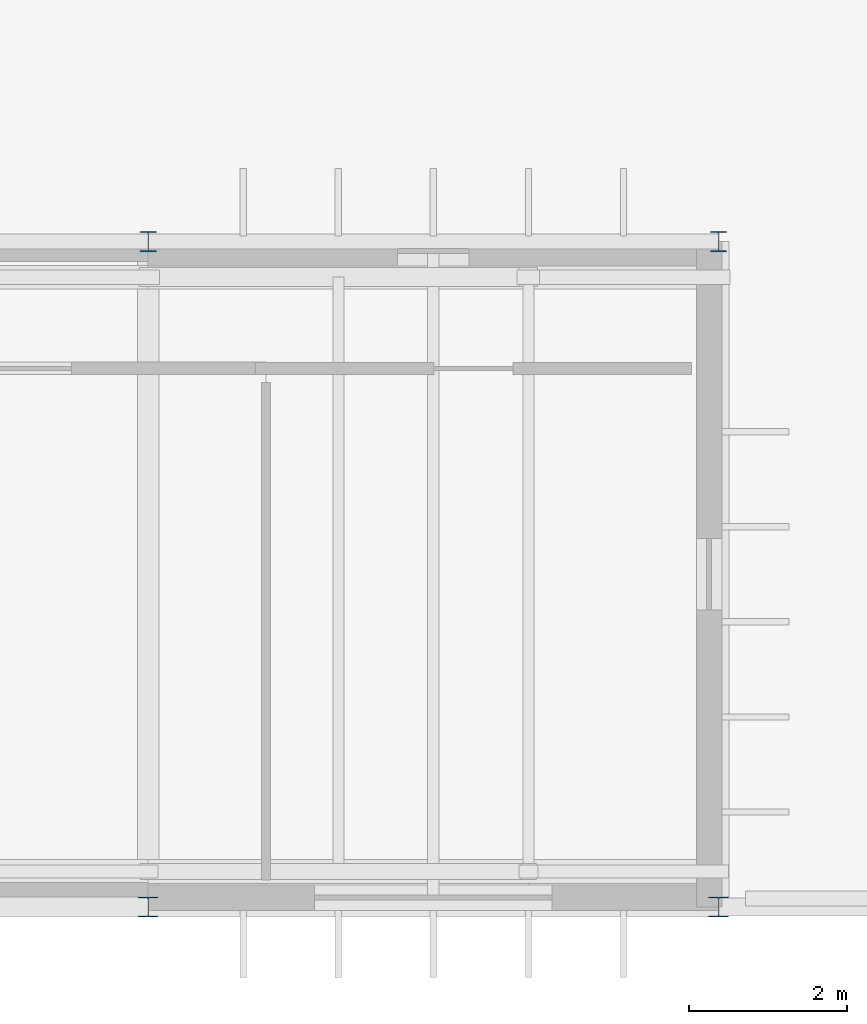
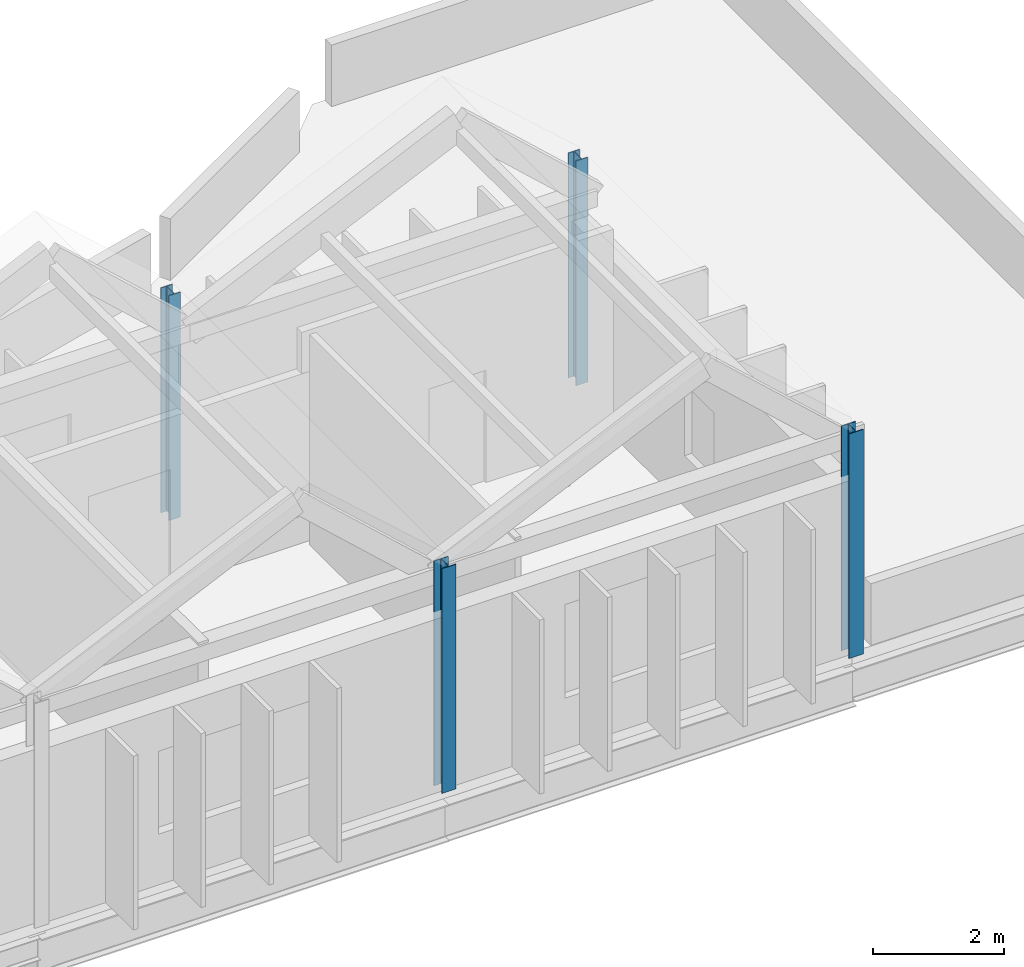
# One storey, part 12 of 52: 4 columns.
"""IFC4 building model written with IfcOpenShell, lengths in metres."""

import ifcopenshell
import ifcopenshell.guid

model = None  # the IFC model being written
_history = None  # IfcOwnerHistory: only IFC2X3 demands one
_inside = {}  # id of a spatial element -> (the spatial element, [elements in it])
_under = {}  # id of a project, library or spatial element -> (it, [spatial elements below it])
_declared = {}  # id of a project -> (the project, [libraries it declares])
_typed = {}  # id of a type object -> (the type object, [elements of that type])
_made_of = {}  # id of a material, layer set ... -> (it, [elements and type objects made of it])


def new_model(schema):
    """Start an empty IFC model of exactly this schema.

    Asked for "IFC4X3", IfcOpenShell would pick the latest addendum, in which some entities
    have other attributes; the version numbers below select the first issue.
    IFC2X3 requires an IfcOwnerHistory on every rooted entity: one is made here for all.
    """
    global model, _history
    if schema == "IFC4X3":
        model = ifcopenshell.file(schema_version=(4, 3, 0, 0))
    else:
        model = ifcopenshell.file(schema=schema)
    _inside.clear()
    _under.clear()
    _declared.clear()
    _typed.clear()
    _made_of.clear()
    _history = None
    if model.schema == "IFC2X3":
        org = make("IfcOrganization", Name="unknown")
        user = make(
            "IfcPersonAndOrganization",
            ThePerson=make("IfcPerson", FamilyName="unknown"),
            TheOrganization=org,
        )
        app = make(
            "IfcApplication",
            ApplicationDeveloper=org,
            Version="unknown",
            ApplicationFullName="unknown",
            ApplicationIdentifier="unknown",
        )
        _history = make(
            "IfcOwnerHistory",
            OwningUser=user,
            OwningApplication=app,
            ChangeAction="ADDED",
            CreationDate=0,
        )
    return model


def make(cls, **values):
    """One entity of the class cls with the attributes given. An attribute that is None is left unset."""
    return model.create_entity(
        cls, **{name: value for name, value in values.items() if value is not None}
    )


def rooted(cls, **values):
    """An entity with a GlobalId (a new one), such as an element, a storey or a relation."""
    return make(cls, GlobalId=ifcopenshell.guid.new(), OwnerHistory=_history, **values)


def si_unit(unit_type, name, prefix=None):
    """IfcSIUnit, for example si_unit("LENGTHUNIT", "METRE", prefix="MILLI")."""
    return make("IfcSIUnit", UnitType=unit_type, Prefix=prefix, Name=name)


def assignment(units):
    """IfcUnitAssignment: the units of a project."""
    return None if units is None else make("IfcUnitAssignment", Units=units)


def point(xyz):
    """IfcCartesianPoint."""
    return None if xyz is None else make("IfcCartesianPoint", Coordinates=xyz)


def direction(xyz):
    """IfcDirection."""
    return None if xyz is None else make("IfcDirection", DirectionRatios=xyz)


def frame(location, z_axis=None, x_axis=None):
    """IfcAxis2Placement3D, a coordinate frame: its origin and axes. An axis left out is left unset."""
    return make(
        "IfcAxis2Placement3D",
        Location=point(location),
        Axis=direction(z_axis),
        RefDirection=direction(x_axis),
    )


def frame_2d(location, x_axis=None):
    """IfcAxis2Placement2D, a coordinate frame in the plane: its origin and x axis."""
    return make(
        "IfcAxis2Placement2D", Location=point(location), RefDirection=direction(x_axis)
    )


def origin():
    """The frame at (0, 0, 0) with its axes left unset."""
    return frame((0.0, 0.0, 0.0))


def origin_2d():
    """The frame at (0, 0) in the plane with its x axis left unset."""
    return frame_2d((0.0, 0.0))


def place(relative_to, where):
    """IfcLocalPlacement: puts the frame where relative to a parent placement (None: the world)."""
    return make(
        "IfcLocalPlacement", PlacementRelTo=relative_to, RelativePlacement=where
    )


def context(
    kind, dimensions, precision=None, world=None, true_north=None, identifier=None
):
    """IfcGeometricRepresentationContext, for example the 3D "Model" context."""
    return make(
        "IfcGeometricRepresentationContext",
        ContextIdentifier=identifier,
        ContextType=kind,
        CoordinateSpaceDimension=dimensions,
        Precision=precision,
        WorldCoordinateSystem=world,
        TrueNorth=true_north,
    )


def subcontext(parent, identifier, kind, view, scale=None):
    """IfcGeometricRepresentationSubContext, for example "Body" below "Model"."""
    return make(
        "IfcGeometricRepresentationSubContext",
        ContextIdentifier=identifier,
        ContextType=kind,
        ParentContext=parent,
        TargetScale=scale,
        TargetView=view,
    )


def project(units=None, contexts=None):
    """IfcProject with its units and contexts."""
    return rooted(
        "IfcProject",
        Name="project",
        RepresentationContexts=contexts,
        UnitsInContext=assignment(units),
    )


def spatial(cls, under=None, at=None, **own):
    """A site, building, storey or space (cls), placed at a placement, below another one or the project."""
    s = rooted(cls, ObjectPlacement=at, **own)
    if under is not None:
        _under.setdefault(under.id(), (under, []))[1].append(s)
    return s


def profile(cls, at=None, kind="AREA", **sizes):
    """A parametric profile (cls). Its sizes go by their IFC names, for example OverallWidth=200.0."""
    return make(cls, ProfileType=kind, Position=at, **sizes)


def i_section(**sizes):
    """IfcIShapeProfileDef."""
    return profile("IfcIShapeProfileDef", **sizes)


def extrude(swept, where, along, depth):
    """IfcExtrudedAreaSolid: the profile swept, set in the frame where, extruded along a direction by depth."""
    return make(
        "IfcExtrudedAreaSolid",
        SweptArea=swept,
        Position=where,
        ExtrudedDirection=direction(along),
        Depth=depth,
    )


def shape(context_of_items, identifier, shape_type, items):
    """IfcShapeRepresentation: the items that make up one representation, for example the "Body"."""
    return make(
        "IfcShapeRepresentation",
        ContextOfItems=context_of_items,
        RepresentationIdentifier=identifier,
        RepresentationType=shape_type,
        Items=items,
    )


def material(Name=None, Category=None):
    """IfcMaterial."""
    return make("IfcMaterial", Name=Name, Category=Category)


def material_profile(
    of_material, cross_section, Name=None, Category=None, Priority=None
):
    """IfcMaterialProfile: a cross section and its material."""
    return make(
        "IfcMaterialProfile",
        Name=Name,
        Material=of_material,
        Profile=cross_section,
        Priority=Priority,
        Category=Category,
    )


def profile_set(profiles, Name=None, composite=None):
    """IfcMaterialProfileSet."""
    return make(
        "IfcMaterialProfileSet",
        Name=Name,
        MaterialProfiles=profiles,
        CompositeProfile=composite,
    )


def made_of(thing, what):
    """Note that an element or type object is made of a material, layer set ...; save() writes the relation."""
    if what is not None:
        _made_of.setdefault(what.id(), (what, []))[1].append(thing)
    return thing


def type_object(cls, material=None, **own):
    """A type object (cls), such as IfcWallType, which elements share."""
    return made_of(rooted(cls, **own), material)


def element(
    cls,
    number,
    at=None,
    inside=None,
    cuts=None,
    type_object=None,
    material=None,
    context=None,
    identifier="Body",
    shape_type=None,
    held_by="IfcProductDefinitionShape",
    body=None,
    shapes=None,
    **own,
):
    """One element of the class cls, such as IfcWall. Its Tag is "e" and its number.

    at: its placement. inside: the storey or other place that contains it. cuts: it is an
    opening in that element (IfcRelVoidsElement). A single representation is given by context,
    identifier, shape_type and body (its items); several are given by shapes. held_by: the class
    of the entity that holds the representations. save() writes the other relations.
    """
    e = rooted(cls, Tag="e%d" % number, ObjectPlacement=at, **own)
    if body is not None:
        shapes = [shape(context, identifier, shape_type, body)]
    if shapes is not None:
        e.Representation = make(held_by, Representations=shapes)
    if inside is not None:
        _inside.setdefault(inside.id(), (inside, []))[1].append(e)
    if cuts is not None:
        rooted(
            "IfcRelVoidsElement", RelatingBuildingElement=cuts, RelatedOpeningElement=e
        )
    if type_object is not None:
        _typed.setdefault(type_object.id(), (type_object, []))[1].append(e)
    return made_of(e, material)


def aggregate(whole, parts):
    """IfcRelAggregates: a whole, such as a stair, and the parts it consists of."""
    return rooted("IfcRelAggregates", RelatingObject=whole, RelatedObjects=parts)


def save(model, path):
    """Write the relations noted so far, then the file.

    IfcRelAggregates (storeys below a building ...), IfcRelContainedInSpatialStructure (elements
    in a storey), IfcRelDefinesByType, IfcRelAssociatesMaterial and IfcRelDeclares: one each for
    every whole, place, type object, material and project.
    """
    for whole, parts in _under.values():
        aggregate(whole, parts)
    for where, things in _inside.values():
        rooted(
            "IfcRelContainedInSpatialStructure",
            RelatedElements=things,
            RelatingStructure=where,
        )
    for kind, things in _typed.values():
        rooted("IfcRelDefinesByType", RelatedObjects=things, RelatingType=kind)
    for what, things in _made_of.values():
        rooted("IfcRelAssociatesMaterial", RelatedObjects=things, RelatingMaterial=what)
    for by, libraries in _declared.values():
        rooted("IfcRelDeclares", RelatingContext=by, RelatedDefinitions=libraries)
    model.write(path)


model = new_model("IFC4")

# Units and contexts
model_context = context("Model", 3, precision=1e-05, world=origin(), true_north=direction((0.0, 1.0)))
body_context = subcontext(model_context, "Body", "Model", "MODEL_VIEW")
ifc_project = project(units=[si_unit("LENGTHUNIT", "METRE"), si_unit("AREAUNIT", "SQUARE_METRE"), si_unit("VOLUMEUNIT", "CUBIC_METRE"), si_unit("PLANEANGLEUNIT", "RADIAN"), si_unit("MASSUNIT", "GRAM", prefix="KILO")], contexts=[model_context])

# Site, building, storey
site_placement = place(None, origin())
site = spatial("IfcSite", under=ifc_project, at=site_placement, CompositionType="ELEMENT")
building_placement = place(site_placement, origin())
building = spatial("IfcBuilding", under=site, at=building_placement, Name="Qelthora Terrace Specialist Clinic", CompositionType="ELEMENT")
storey_placement = place(building_placement, frame((0.0, 0.0, 17.39990234375)))
storey = spatial("IfcBuildingStorey", under=building, at=storey_placement, Name="L04", CompositionType="ELEMENT", Elevation=17.39990234375)

# Columns
ifc_material = material(Name="Steel S355", Category="steel")
ifc_material_profile_1 = material_profile(ifc_material, i_section(OverallWidth=0.2041015625, OverallDepth=0.257080078125, WebThickness=0.0087890625, FlangeThickness=0.015625, FilletRadius=0.012939453125, at=origin_2d()), Name="W250X67")
ifc_profile_set_1 = profile_set([ifc_material_profile_1], Name="Steel S355")
column_type_1 = type_object("IfcColumnType", Name="COL-W250X67", PredefinedType="COLUMN", material=ifc_profile_set_1)
for number, where, z_axis, x_axis, name in (
    (1, (129.60009765625, 42.0, 0.0), (0.0, 0.0, 1.0), (1.0, 0.0, 0.0), "Column L04-211"),
    (2, (136.800048828125, 42.0, 0.0), (0.0, 0.0, 1.0), (1.0, 0.0, 0.0), "Column L04-219"),
):
    element("IfcColumn", number, at=place(storey_placement, frame(where, z_axis=z_axis, x_axis=x_axis)), inside=storey, type_object=column_type_1, Name=name, PredefinedType="COLUMN", context=body_context, shape_type="SweptSolid", body=[
        extrude(i_section(OverallWidth=0.2041015625, OverallDepth=0.257080078125, WebThickness=0.0087890625, FlangeThickness=0.015625, FilletRadius=0.012939453125, at=origin_2d()), origin(), (0.0, 0.0, 1.0), 4.2001953125),
    ])
ifc_material_profile_2 = material_profile(ifc_material, i_section(OverallWidth=0.25390625, OverallDepth=0.2529296875, WebThickness=0.008544921875, FlangeThickness=0.01416015625, FilletRadius=0.012939453125, at=origin_2d()), Name="W250X73")
ifc_profile_set_2 = profile_set([ifc_material_profile_2], Name="Steel S355")
column_type_2 = type_object("IfcColumnType", Name="COL-W250X73", PredefinedType="COLUMN", material=ifc_profile_set_2)
for number, where, z_axis, x_axis, name in (
    (3, (129.60009765625, 33.60009765625, 0.0), (0.0, 0.0, 1.0), (1.0, 0.0, 0.0), "Column L04-210"),
    (4, (136.800048828125, 33.60009765625, 0.0), (0.0, 0.0, 1.0), (1.0, 0.0, 0.0), "Column L04-218"),
):
    element("IfcColumn", number, at=place(storey_placement, frame(where, z_axis=z_axis, x_axis=x_axis)), inside=storey, type_object=column_type_2, Name=name, PredefinedType="COLUMN", context=body_context, shape_type="SweptSolid", body=[
        extrude(i_section(OverallWidth=0.25390625, OverallDepth=0.2529296875, WebThickness=0.008544921875, FlangeThickness=0.01416015625, FilletRadius=0.012939453125, at=origin_2d()), origin(), (0.0, 0.0, 1.0), 4.2001953125),
    ])

save(model, "model.ifc")
